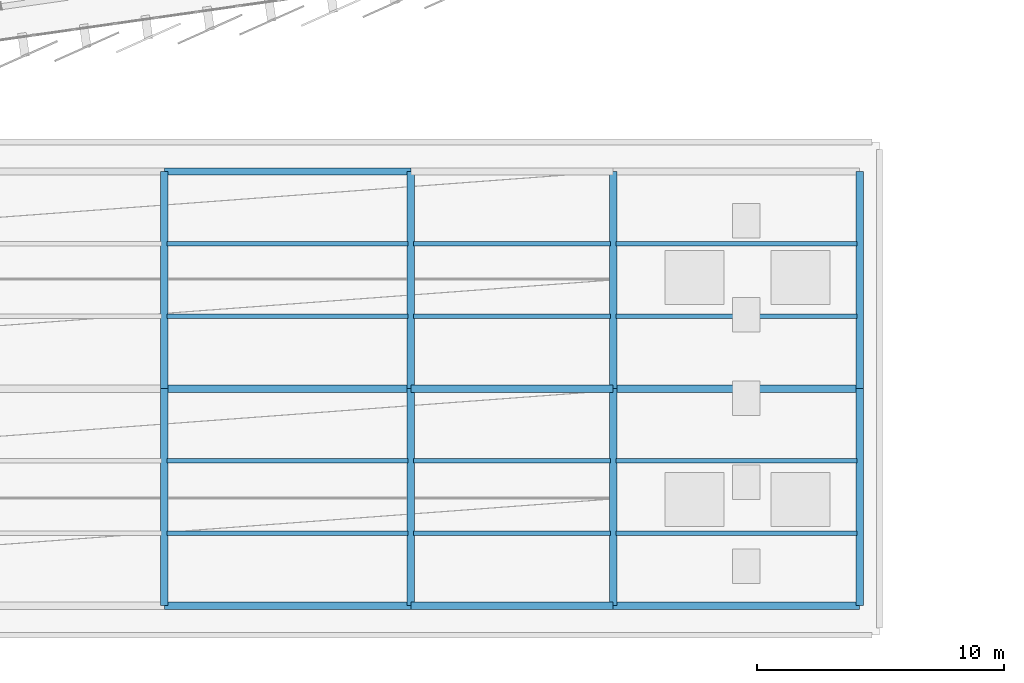
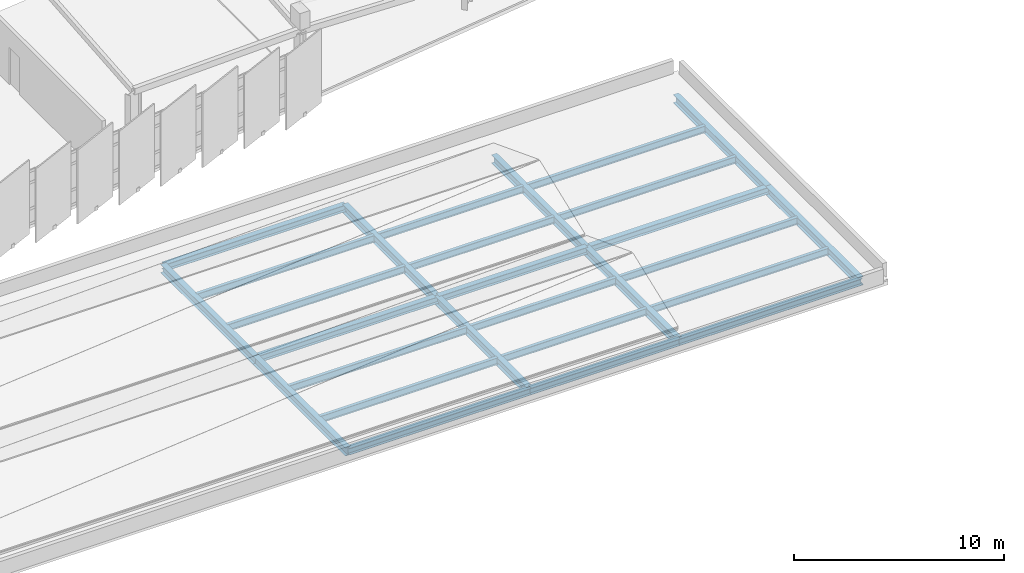
# One storey, part 21 of 67: 27 beams.
"""IFC4 building model written with IfcOpenShell, lengths in metres."""

from ifc_helpers import new_model, si_unit, direction, frame, origin, origin_2d, place, context, subcontext, project, spatial, i_section, extrude, material, material_profile, profile_set, type_object, element, save


model = new_model("IFC4")

# Units and contexts
model_context = context("Model", 3, precision=1e-05, world=origin(), true_north=direction((0.0, 1.0)))
body_context = subcontext(model_context, "Body", "Model", "MODEL_VIEW")
ifc_project = project(units=[si_unit("LENGTHUNIT", "METRE"), si_unit("AREAUNIT", "SQUARE_METRE"), si_unit("VOLUMEUNIT", "CUBIC_METRE"), si_unit("PLANEANGLEUNIT", "RADIAN"), si_unit("MASSUNIT", "GRAM", prefix="KILO")], contexts=[model_context])

# Site, building, storey
site_placement = place(None, origin())
site = spatial("IfcSite", under=ifc_project, at=site_placement, CompositionType="ELEMENT")
building_placement = place(site_placement, origin())
building = spatial("IfcBuilding", under=site, at=building_placement, Name="Sohan Crest Arena", CompositionType="ELEMENT")
storey_placement = place(building_placement, frame((0.0, 0.0, 22.5)))
storey = spatial("IfcBuildingStorey", under=building, at=storey_placement, Name="L05", CompositionType="ELEMENT", Elevation=22.5)

# Beams
ifc_material = material(Name="Steel S355", Category="steel")
ifc_material_profile_1 = material_profile(ifc_material, i_section(OverallWidth=0.179931640625, OverallDepth=0.39990234375, WebThickness=0.008544921875, FlangeThickness=0.013427734375, at=origin_2d()), Name="IPE 400")
ifc_profile_set_1 = profile_set([ifc_material_profile_1], Name="Steel S355")
beam_type_1 = type_object("IfcBeamType", Name="STR-BM-B03", PredefinedType="JOIST", material=ifc_profile_set_1)
for number, where, z_axis, x_axis, name in (
    (1, (115.110107421875, 10.133056640625, -0.43994140625), (1.0, 0.0, 0.0), (0.0, 1.0, 0.0), "Structural beam J-L05-2876"),
    (2, (115.110107421875, 13.06689453125, -0.43994140625), (1.0, 0.0, 0.0), (0.0, 1.0, 0.0), "Structural beam J-L05-2877"),
):
    element("IfcBeam", number, at=place(storey_placement, frame(where, z_axis=z_axis, x_axis=x_axis)), inside=storey, type_object=beam_type_1, Name=name, PredefinedType="JOIST", context=body_context, shape_type="SweptSolid", body=[
        extrude(i_section(OverallWidth=0.179931640625, OverallDepth=0.39990234375, WebThickness=0.008544921875, FlangeThickness=0.013427734375, at=origin_2d()), origin(), (0.0, 0.0, 1.0), 9.77978515625),
    ])
for number, where, z_axis, x_axis, name in (
    (3, (125.110107421875, 10.133056640625, -0.43994140625), (1.0, 0.0, 0.0), (0.0, 1.0, 0.0), "Structural beam J-L05-2879"),
    (4, (125.110107421875, 13.06689453125, -0.43994140625), (1.0, 0.0, 0.0), (0.0, 1.0, 0.0), "Structural beam J-L05-2880"),
):
    element("IfcBeam", number, at=place(storey_placement, frame(where, z_axis=z_axis, x_axis=x_axis)), inside=storey, type_object=beam_type_1, Name=name, PredefinedType="JOIST", context=body_context, shape_type="SweptSolid", body=[
        extrude(i_section(OverallWidth=0.179931640625, OverallDepth=0.39990234375, WebThickness=0.008544921875, FlangeThickness=0.013427734375, at=origin_2d()), origin(), (0.0, 0.0, 1.0), 7.97998046875),
    ])
for number, where, z_axis, x_axis, name in (
    (5, (133.31005859375, 10.133056640625, -0.43994140625), (1.0, 0.0, 0.0), (0.0, 1.0, 0.0), "Structural beam J-L05-2882"),
    (6, (133.31005859375, 13.06689453125, -0.43994140625), (1.0, 0.0, 0.0), (0.0, 1.0, 0.0), "Structural beam J-L05-2883"),
):
    element("IfcBeam", number, at=place(storey_placement, frame(where, z_axis=z_axis, x_axis=x_axis)), inside=storey, type_object=beam_type_1, Name=name, PredefinedType="JOIST", context=body_context, shape_type="SweptSolid", body=[
        extrude(i_section(OverallWidth=0.179931640625, OverallDepth=0.39990234375, WebThickness=0.008544921875, FlangeThickness=0.013427734375, at=origin_2d()), origin(), (0.0, 0.0, 1.0), 9.780029296875),
    ])
for number, where, z_axis, x_axis, name in (
    (7, (115.110107421875, 18.93310546875, -0.43994140625), (1.0, 0.0, 0.0), (0.0, 1.0, 0.0), "Structural beam J-L05-2897"),
    (8, (115.110107421875, 21.866943359375, -0.43994140625), (1.0, 0.0, 0.0), (0.0, 1.0, 0.0), "Structural beam J-L05-2898"),
):
    element("IfcBeam", number, at=place(storey_placement, frame(where, z_axis=z_axis, x_axis=x_axis)), inside=storey, type_object=beam_type_1, Name=name, PredefinedType="JOIST", context=body_context, shape_type="SweptSolid", body=[
        extrude(i_section(OverallWidth=0.179931640625, OverallDepth=0.39990234375, WebThickness=0.008544921875, FlangeThickness=0.013427734375, at=origin_2d()), origin(), (0.0, 0.0, 1.0), 9.77978515625),
    ])
for number, where, z_axis, x_axis, name in (
    (9, (125.110107421875, 18.93310546875, -0.43994140625), (1.0, 0.0, 0.0), (0.0, 1.0, 0.0), "Structural beam J-L05-2900"),
    (10, (125.110107421875, 21.866943359375, -0.43994140625), (1.0, 0.0, 0.0), (0.0, 1.0, 0.0), "Structural beam J-L05-2901"),
):
    element("IfcBeam", number, at=place(storey_placement, frame(where, z_axis=z_axis, x_axis=x_axis)), inside=storey, type_object=beam_type_1, Name=name, PredefinedType="JOIST", context=body_context, shape_type="SweptSolid", body=[
        extrude(i_section(OverallWidth=0.179931640625, OverallDepth=0.39990234375, WebThickness=0.008544921875, FlangeThickness=0.013427734375, at=origin_2d()), origin(), (0.0, 0.0, 1.0), 7.97998046875),
    ])
for number, where, z_axis, x_axis, name in (
    (11, (133.31005859375, 18.93310546875, -0.43994140625), (1.0, 0.0, 0.0), (0.0, 1.0, 0.0), "Structural beam J-L05-2903"),
    (12, (133.31005859375, 21.866943359375, -0.43994140625), (1.0, 0.0, 0.0), (0.0, 1.0, 0.0), "Structural beam J-L05-2904"),
):
    element("IfcBeam", number, at=place(storey_placement, frame(where, z_axis=z_axis, x_axis=x_axis)), inside=storey, type_object=beam_type_1, Name=name, PredefinedType="JOIST", context=body_context, shape_type="SweptSolid", body=[
        extrude(i_section(OverallWidth=0.179931640625, OverallDepth=0.39990234375, WebThickness=0.008544921875, FlangeThickness=0.013427734375, at=origin_2d()), origin(), (0.0, 0.0, 1.0), 9.780029296875),
    ])
ifc_material_profile_2 = material_profile(ifc_material, i_section(OverallWidth=0.300048828125, OverallDepth=0.389892578125, WebThickness=0.010986328125, FlangeThickness=0.01904296875, at=origin_2d()), Name="HEA 400")
ifc_profile_set_2 = profile_set([ifc_material_profile_2], Name="Steel S355")
beam_type_2 = type_object("IfcBeamType", Name="STR-BM-B09", PredefinedType="BEAM", material=ifc_profile_set_2)
beam_1_placement = place(storey_placement, frame((115.0, 7.199951171875, -0.43505859375), z_axis=(1.0, 0.0, 0.0), x_axis=(0.0, 1.0, 0.0)))
element("IfcBeam", 13, at=beam_1_placement, inside=storey, type_object=beam_type_2, Name="Structural beam G-L05-2875", PredefinedType="BEAM", context=body_context, shape_type="SweptSolid", body=[
    extrude(i_section(OverallWidth=0.300048828125, OverallDepth=0.389892578125, WebThickness=0.010986328125, FlangeThickness=0.01904296875, at=origin_2d()), origin(), (0.0, 0.0, 1.0), 10.0),
])
beam_2_placement = place(storey_placement, frame((125.0, 7.199951171875, -0.43505859375), z_axis=(1.0, 0.0, 0.0), x_axis=(0.0, 1.0, 0.0)))
element("IfcBeam", 14, at=beam_2_placement, inside=storey, type_object=beam_type_2, Name="Structural beam G-L05-2878", PredefinedType="BEAM", context=body_context, shape_type="SweptSolid", body=[
    extrude(i_section(OverallWidth=0.300048828125, OverallDepth=0.389892578125, WebThickness=0.010986328125, FlangeThickness=0.01904296875, at=origin_2d()), origin(), (0.0, 0.0, 1.0), 8.199951171875),
])
for number, where, z_axis, x_axis, name in (
    (15, (133.199951171875, 7.199951171875, -0.43505859375), (1.0, 0.0, 0.0), (0.0, 1.0, 0.0), "Structural beam G-L05-2881"),
    (16, (115.0, 16.0, -0.43505859375), (1.0, 0.0, 0.0), (0.0, 1.0, 0.0), "Structural beam G-L05-2896"),
):
    element("IfcBeam", number, at=place(storey_placement, frame(where, z_axis=z_axis, x_axis=x_axis)), inside=storey, type_object=beam_type_2, Name=name, PredefinedType="BEAM", context=body_context, shape_type="SweptSolid", body=[
        extrude(i_section(OverallWidth=0.300048828125, OverallDepth=0.389892578125, WebThickness=0.010986328125, FlangeThickness=0.01904296875, at=origin_2d()), origin(), (0.0, 0.0, 1.0), 10.0),
    ])
beam_3_placement = place(storey_placement, frame((125.0, 16.0, -0.43505859375), z_axis=(1.0, 0.0, 0.0), x_axis=(0.0, 1.0, 0.0)))
element("IfcBeam", 17, at=beam_3_placement, inside=storey, type_object=beam_type_2, Name="Structural beam G-L05-2899", PredefinedType="BEAM", context=body_context, shape_type="SweptSolid", body=[
    extrude(i_section(OverallWidth=0.300048828125, OverallDepth=0.389892578125, WebThickness=0.010986328125, FlangeThickness=0.01904296875, at=origin_2d()), origin(), (0.0, 0.0, 1.0), 8.199951171875),
])
for number, where, z_axis, x_axis, name in (
    (18, (133.199951171875, 16.0, -0.43505859375), (1.0, 0.0, 0.0), (0.0, 1.0, 0.0), "Structural beam G-L05-2902"),
    (19, (115.0, 24.800048828125, -0.43505859375), (1.0, 0.0, 0.0), (0.0, 1.0, 0.0), "Structural beam G-L05-2909"),
):
    element("IfcBeam", number, at=place(storey_placement, frame(where, z_axis=z_axis, x_axis=x_axis)), inside=storey, type_object=beam_type_2, Name=name, PredefinedType="BEAM", context=body_context, shape_type="SweptSolid", body=[
        extrude(i_section(OverallWidth=0.300048828125, OverallDepth=0.389892578125, WebThickness=0.010986328125, FlangeThickness=0.01904296875, at=origin_2d()), origin(), (0.0, 0.0, 1.0), 10.0),
    ])
ifc_material_profile_3 = material_profile(ifc_material, i_section(OverallWidth=0.300048828125, OverallDepth=0.489990234375, WebThickness=0.011962890625, FlangeThickness=0.02294921875, at=origin_2d()), Name="HEA 500")
ifc_profile_set_3 = profile_set([ifc_material_profile_3], Name="Steel S355")
beam_type_3 = type_object("IfcBeamType", Name="STR-BM-B10", PredefinedType="BEAM", material=ifc_profile_set_3)
for number, where, z_axis, x_axis, name in (
    (20, (115.0, 7.199951171875, -0.485107421875), (0.0, 1.0, 0.0), (-1.0, 0.0, 0.0), "Structural beam G-L05-2855"),
    (21, (115.0, 16.0, -0.485107421875), (0.0, 1.0, 0.0), (-1.0, 0.0, 0.0), "Structural beam G-L05-2856"),
    (22, (125.0, 7.199951171875, -0.485107421875), (0.0, 1.0, 0.0), (-1.0, 0.0, 0.0), "Structural beam G-L05-2857"),
    (23, (125.0, 16.0, -0.485107421875), (0.0, 1.0, 0.0), (-1.0, 0.0, 0.0), "Structural beam G-L05-2858"),
    (24, (133.199951171875, 7.199951171875, -0.485107421875), (0.0, 1.0, 0.0), (-1.0, 0.0, 0.0), "Structural beam G-L05-2859"),
    (25, (133.199951171875, 16.0, -0.485107421875), (0.0, 1.0, 0.0), (-1.0, 0.0, 0.0), "Structural beam G-L05-2860"),
    (26, (143.199951171875, 7.199951171875, -0.485107421875), (0.0, 1.0, 0.0), (-1.0, 0.0, 0.0), "Structural beam G-L05-2861"),
    (27, (143.199951171875, 16.0, -0.485107421875), (0.0, 1.0, 0.0), (-1.0, 0.0, 0.0), "Structural beam G-L05-2862"),
):
    element("IfcBeam", number, at=place(storey_placement, frame(where, z_axis=z_axis, x_axis=x_axis)), inside=storey, type_object=beam_type_3, Name=name, PredefinedType="BEAM", context=body_context, shape_type="SweptSolid", body=[
        extrude(i_section(OverallWidth=0.300048828125, OverallDepth=0.489990234375, WebThickness=0.011962890625, FlangeThickness=0.02294921875, at=origin_2d()), origin(), (0.0, 0.0, 1.0), 8.800048828125),
    ])

save(model, "model.ifc")
